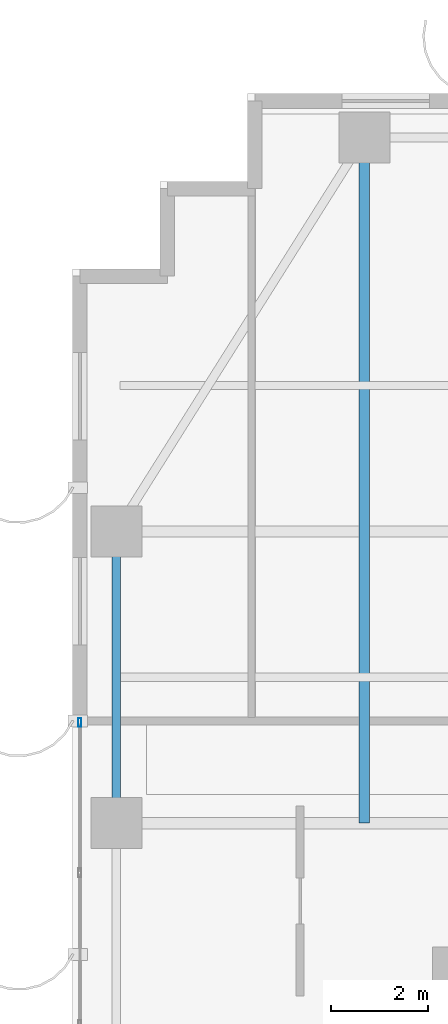
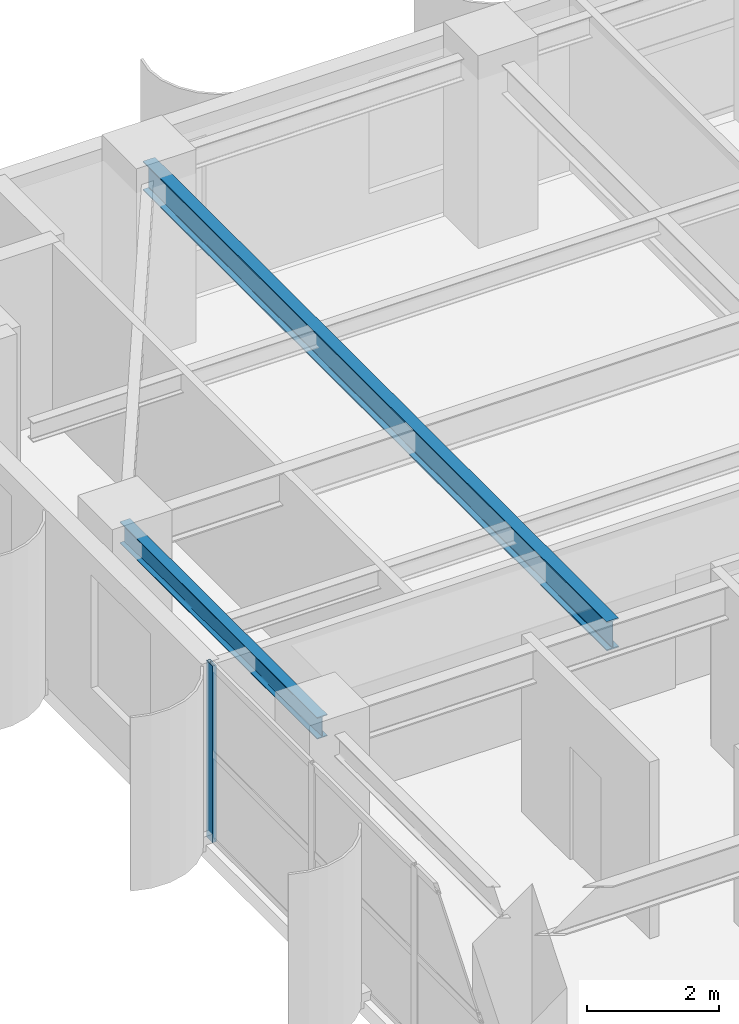
# One storey, part 14 of 28: 2 beams, 1 member, 1 element without a shape of its own.
"""IFC4 building model written with IfcOpenShell, lengths in metres."""

import ifcopenshell
import ifcopenshell.guid

model = None  # the IFC model being written
_history = None  # IfcOwnerHistory: only IFC2X3 demands one
_inside = {}  # id of a spatial element -> (the spatial element, [elements in it])
_under = {}  # id of a project, library or spatial element -> (it, [spatial elements below it])
_declared = {}  # id of a project -> (the project, [libraries it declares])
_typed = {}  # id of a type object -> (the type object, [elements of that type])
_made_of = {}  # id of a material, layer set ... -> (it, [elements and type objects made of it])


def new_model(schema):
    """Start an empty IFC model of exactly this schema.

    Asked for "IFC4X3", IfcOpenShell would pick the latest addendum, in which some entities
    have other attributes; the version numbers below select the first issue.
    IFC2X3 requires an IfcOwnerHistory on every rooted entity: one is made here for all.
    """
    global model, _history
    if schema == "IFC4X3":
        model = ifcopenshell.file(schema_version=(4, 3, 0, 0))
    else:
        model = ifcopenshell.file(schema=schema)
    _inside.clear()
    _under.clear()
    _declared.clear()
    _typed.clear()
    _made_of.clear()
    _history = None
    if model.schema == "IFC2X3":
        org = make("IfcOrganization", Name="unknown")
        user = make(
            "IfcPersonAndOrganization",
            ThePerson=make("IfcPerson", FamilyName="unknown"),
            TheOrganization=org,
        )
        app = make(
            "IfcApplication",
            ApplicationDeveloper=org,
            Version="unknown",
            ApplicationFullName="unknown",
            ApplicationIdentifier="unknown",
        )
        _history = make(
            "IfcOwnerHistory",
            OwningUser=user,
            OwningApplication=app,
            ChangeAction="ADDED",
            CreationDate=0,
        )
    return model


def make(cls, **values):
    """One entity of the class cls with the attributes given. An attribute that is None is left unset."""
    return model.create_entity(
        cls, **{name: value for name, value in values.items() if value is not None}
    )


def rooted(cls, **values):
    """An entity with a GlobalId (a new one), such as an element, a storey or a relation."""
    return make(cls, GlobalId=ifcopenshell.guid.new(), OwnerHistory=_history, **values)


def si_unit(unit_type, name, prefix=None):
    """IfcSIUnit, for example si_unit("LENGTHUNIT", "METRE", prefix="MILLI")."""
    return make("IfcSIUnit", UnitType=unit_type, Prefix=prefix, Name=name)


def assignment(units):
    """IfcUnitAssignment: the units of a project."""
    return None if units is None else make("IfcUnitAssignment", Units=units)


def point(xyz):
    """IfcCartesianPoint."""
    return None if xyz is None else make("IfcCartesianPoint", Coordinates=xyz)


def direction(xyz):
    """IfcDirection."""
    return None if xyz is None else make("IfcDirection", DirectionRatios=xyz)


def frame(location, z_axis=None, x_axis=None):
    """IfcAxis2Placement3D, a coordinate frame: its origin and axes. An axis left out is left unset."""
    return make(
        "IfcAxis2Placement3D",
        Location=point(location),
        Axis=direction(z_axis),
        RefDirection=direction(x_axis),
    )


def frame_2d(location, x_axis=None):
    """IfcAxis2Placement2D, a coordinate frame in the plane: its origin and x axis."""
    return make(
        "IfcAxis2Placement2D", Location=point(location), RefDirection=direction(x_axis)
    )


def origin():
    """The frame at (0, 0, 0) with its axes left unset."""
    return frame((0.0, 0.0, 0.0))


def origin_2d():
    """The frame at (0, 0) in the plane with its x axis left unset."""
    return frame_2d((0.0, 0.0))


def place(relative_to, where):
    """IfcLocalPlacement: puts the frame where relative to a parent placement (None: the world)."""
    return make(
        "IfcLocalPlacement", PlacementRelTo=relative_to, RelativePlacement=where
    )


def context(
    kind, dimensions, precision=None, world=None, true_north=None, identifier=None
):
    """IfcGeometricRepresentationContext, for example the 3D "Model" context."""
    return make(
        "IfcGeometricRepresentationContext",
        ContextIdentifier=identifier,
        ContextType=kind,
        CoordinateSpaceDimension=dimensions,
        Precision=precision,
        WorldCoordinateSystem=world,
        TrueNorth=true_north,
    )


def subcontext(parent, identifier, kind, view, scale=None):
    """IfcGeometricRepresentationSubContext, for example "Body" below "Model"."""
    return make(
        "IfcGeometricRepresentationSubContext",
        ContextIdentifier=identifier,
        ContextType=kind,
        ParentContext=parent,
        TargetScale=scale,
        TargetView=view,
    )


def project(units=None, contexts=None):
    """IfcProject with its units and contexts."""
    return rooted(
        "IfcProject",
        Name="project",
        RepresentationContexts=contexts,
        UnitsInContext=assignment(units),
    )


def spatial(cls, under=None, at=None, **own):
    """A site, building, storey or space (cls), placed at a placement, below another one or the project."""
    s = rooted(cls, ObjectPlacement=at, **own)
    if under is not None:
        _under.setdefault(under.id(), (under, []))[1].append(s)
    return s


def profile(cls, at=None, kind="AREA", **sizes):
    """A parametric profile (cls). Its sizes go by their IFC names, for example OverallWidth=200.0."""
    return make(cls, ProfileType=kind, Position=at, **sizes)


def hollow_rectangle(**sizes):
    """IfcRectangleHollowProfileDef."""
    return profile("IfcRectangleHollowProfileDef", **sizes)


def i_section(**sizes):
    """IfcIShapeProfileDef."""
    return profile("IfcIShapeProfileDef", **sizes)


def extrude(swept, where, along, depth):
    """IfcExtrudedAreaSolid: the profile swept, set in the frame where, extruded along a direction by depth."""
    return make(
        "IfcExtrudedAreaSolid",
        SweptArea=swept,
        Position=where,
        ExtrudedDirection=direction(along),
        Depth=depth,
    )


def shape(context_of_items, identifier, shape_type, items):
    """IfcShapeRepresentation: the items that make up one representation, for example the "Body"."""
    return make(
        "IfcShapeRepresentation",
        ContextOfItems=context_of_items,
        RepresentationIdentifier=identifier,
        RepresentationType=shape_type,
        Items=items,
    )


def source(mapping_origin, context_of_items, identifier, shape_type, items):
    """IfcRepresentationMap: a shape defined once, which mapped items show again and again."""
    return make(
        "IfcRepresentationMap",
        MappingOrigin=mapping_origin,
        MappedRepresentation=shape(context_of_items, identifier, shape_type, items),
    )


def transform(
    local_origin,
    x_axis=None,
    y_axis=None,
    z_axis=None,
    scale=None,
    scale2=None,
    scale3=None,
    uniform=True,
):
    """IfcCartesianTransformationOperator3D, or its non-uniform kind. x_axis, y_axis, z_axis: its Axis1, 2, 3."""
    if uniform:
        return make(
            "IfcCartesianTransformationOperator3D",
            Axis1=direction(x_axis),
            Axis2=direction(y_axis),
            LocalOrigin=point(local_origin),
            Scale=scale,
            Axis3=direction(z_axis),
        )
    return make(
        "IfcCartesianTransformationOperator3DnonUniform",
        Axis1=direction(x_axis),
        Axis2=direction(y_axis),
        LocalOrigin=point(local_origin),
        Scale=scale,
        Axis3=direction(z_axis),
        Scale2=scale2,
        Scale3=scale3,
    )


def mapped(mapping_source, mapping_target):
    """IfcMappedItem: shows the shape of a source again, moved by a transform."""
    return make(
        "IfcMappedItem", MappingSource=mapping_source, MappingTarget=mapping_target
    )


def material(Name=None, Category=None):
    """IfcMaterial."""
    return make("IfcMaterial", Name=Name, Category=Category)


def layer(
    of_material, thickness, ventilated=None, Name=None, Category=None, Priority=None
):
    """IfcMaterialLayer: one layer of a wall or slab, of a material (None: an air gap)."""
    return make(
        "IfcMaterialLayer",
        Material=of_material,
        LayerThickness=thickness,
        IsVentilated=ventilated,
        Name=Name,
        Category=Category,
        Priority=Priority,
    )


def layer_set(layers, Name=None):
    """IfcMaterialLayerSet."""
    return make("IfcMaterialLayerSet", MaterialLayers=layers, LayerSetName=Name)


def material_profile(
    of_material, cross_section, Name=None, Category=None, Priority=None
):
    """IfcMaterialProfile: a cross section and its material."""
    return make(
        "IfcMaterialProfile",
        Name=Name,
        Material=of_material,
        Profile=cross_section,
        Priority=Priority,
        Category=Category,
    )


def profile_set(profiles, Name=None, composite=None):
    """IfcMaterialProfileSet."""
    return make(
        "IfcMaterialProfileSet",
        Name=Name,
        MaterialProfiles=profiles,
        CompositeProfile=composite,
    )


def made_of(thing, what):
    """Note that an element or type object is made of a material, layer set ...; save() writes the relation."""
    if what is not None:
        _made_of.setdefault(what.id(), (what, []))[1].append(thing)
    return thing


def type_object(cls, material=None, **own):
    """A type object (cls), such as IfcWallType, which elements share."""
    return made_of(rooted(cls, **own), material)


def element(
    cls,
    number,
    at=None,
    inside=None,
    cuts=None,
    type_object=None,
    material=None,
    context=None,
    identifier="Body",
    shape_type=None,
    held_by="IfcProductDefinitionShape",
    body=None,
    shapes=None,
    **own,
):
    """One element of the class cls, such as IfcWall. Its Tag is "e" and its number.

    at: its placement. inside: the storey or other place that contains it. cuts: it is an
    opening in that element (IfcRelVoidsElement). A single representation is given by context,
    identifier, shape_type and body (its items); several are given by shapes. held_by: the class
    of the entity that holds the representations. save() writes the other relations.
    """
    e = rooted(cls, Tag="e%d" % number, ObjectPlacement=at, **own)
    if body is not None:
        shapes = [shape(context, identifier, shape_type, body)]
    if shapes is not None:
        e.Representation = make(held_by, Representations=shapes)
    if inside is not None:
        _inside.setdefault(inside.id(), (inside, []))[1].append(e)
    if cuts is not None:
        rooted(
            "IfcRelVoidsElement", RelatingBuildingElement=cuts, RelatedOpeningElement=e
        )
    if type_object is not None:
        _typed.setdefault(type_object.id(), (type_object, []))[1].append(e)
    return made_of(e, material)


def aggregate(whole, parts):
    """IfcRelAggregates: a whole, such as a stair, and the parts it consists of."""
    return rooted("IfcRelAggregates", RelatingObject=whole, RelatedObjects=parts)


def save(model, path):
    """Write the relations noted so far, then the file.

    IfcRelAggregates (storeys below a building ...), IfcRelContainedInSpatialStructure (elements
    in a storey), IfcRelDefinesByType, IfcRelAssociatesMaterial and IfcRelDeclares: one each for
    every whole, place, type object, material and project.
    """
    for whole, parts in _under.values():
        aggregate(whole, parts)
    for where, things in _inside.values():
        rooted(
            "IfcRelContainedInSpatialStructure",
            RelatedElements=things,
            RelatingStructure=where,
        )
    for kind, things in _typed.values():
        rooted("IfcRelDefinesByType", RelatedObjects=things, RelatingType=kind)
    for what, things in _made_of.values():
        rooted("IfcRelAssociatesMaterial", RelatedObjects=things, RelatingMaterial=what)
    for by, libraries in _declared.values():
        rooted("IfcRelDeclares", RelatingContext=by, RelatedDefinitions=libraries)
    model.write(path)


model = new_model("IFC4")

# Units and contexts
model_context = context("Model", 3, precision=1e-05, world=origin(), true_north=direction((0.0, 1.0)))
body_context = subcontext(model_context, "Body", "Model", "MODEL_VIEW")
ifc_project = project(units=[si_unit("LENGTHUNIT", "METRE"), si_unit("AREAUNIT", "SQUARE_METRE"), si_unit("VOLUMEUNIT", "CUBIC_METRE"), si_unit("PLANEANGLEUNIT", "RADIAN"), si_unit("MASSUNIT", "GRAM", prefix="KILO")], contexts=[model_context])

# Site, building, storey
site_placement = place(None, origin())
site = spatial("IfcSite", under=ifc_project, at=site_placement, CompositionType="ELEMENT")
building_placement = place(site_placement, origin())
building = spatial("IfcBuilding", under=site, at=building_placement, Name="Khoralis Quay Care Tower", CompositionType="ELEMENT")
storey_placement = place(building_placement, frame((0.0, 0.0, 144.89990234375)))
storey = spatial("IfcBuildingStorey", under=building, at=storey_placement, Name="L38", CompositionType="ELEMENT", Elevation=144.89990234375)

# Beams
ifc_material_1 = material(Name="Steel S355", Category="steel")
ifc_material_profile_1 = material_profile(ifc_material_1, i_section(OverallWidth=0.179931640625, OverallDepth=0.39990234375, WebThickness=0.008544921875, FlangeThickness=0.013427734375, FilletRadius=0.02099609375, at=origin_2d()), Name="Steel S355")
ifc_profile_set_1 = profile_set([ifc_material_profile_1], Name="Steel S355")
beam_type_1 = type_object("IfcBeamType", Name="BM-IPE400", PredefinedType="SPANDREL", material=ifc_profile_set_1)
shared_shape_1 = source(origin(), body_context, "Body", "SweptSolid", [
    extrude(i_section(OverallWidth=0.179931640625, OverallDepth=0.39990234375, WebThickness=0.008544921875, FlangeThickness=0.013427734375, FilletRadius=0.02099609375, at=origin_2d()), origin(), (0.0, 0.0, 1.0), 6.0),
])
beam_1_placement = place(storey_placement, frame((0.89990234375, 30.0, 3.080078125), z_axis=(0.0, 1.0, 0.0), x_axis=(-1.0, 0.0, 0.0)))
element("IfcBeam", 1, at=beam_1_placement, inside=storey, type_object=beam_type_1, Name="BM-TSP-L38-15", PredefinedType="SPANDREL", context=body_context, shape_type="MappedRepresentation", body=[
    mapped(shared_shape_1, transform((0.0, 0.0, 0.0), scale=1.0)),
])
ifc_material_profile_2 = material_profile(ifc_material_1, i_section(OverallWidth=0.2119140625, OverallDepth=0.5439453125, WebThickness=0.01318359375, FlangeThickness=0.021240234375, FilletRadius=0.01611328125, at=origin_2d()), Name="Steel S355")
ifc_profile_set_2 = profile_set([ifc_material_profile_2], Name="Steel S355")
beam_type_2 = type_object("IfcBeamType", Name="BM-W530X123", PredefinedType="BEAM", material=ifc_profile_set_2)
shared_shape_2 = source(origin(), body_context, "Body", "SweptSolid", [
    extrude(i_section(OverallWidth=0.2119140625, OverallDepth=0.5439453125, WebThickness=0.01318359375, FlangeThickness=0.021240234375, FilletRadius=0.01611328125, at=origin_2d()), origin(), (0.0, 0.0, 1.0), 14.10009765625),
])
beam_2_placement = place(storey_placement, frame((6.0, 30.0, 3.008056640625), z_axis=(0.0, 1.0, 0.0), x_axis=(-1.0, 0.0, 0.0)))
element("IfcBeam", 2, at=beam_2_placement, inside=storey, type_object=beam_type_2, Name="BM-TGYN-L38-60", PredefinedType="BEAM", context=body_context, shape_type="MappedRepresentation", body=[
    mapped(shared_shape_2, transform((0.0, 0.0, 0.0), scale=1.0)),
])

# Curtain wall, member
ifc_material_2 = material(Name="Pale anodised aluminium", Category="aluminium")
ifc_layer = layer(ifc_material_2, 0.169921875)
ifc_layer_set = layer_set([ifc_layer], Name="Pale anodised aluminium")
curtain_wall_type = type_object("IfcCurtainWallType", Name="CW-SYS-Z2", PredefinedType="NOTDEFINED", material=ifc_layer_set)
curtain_wall_placement = place(storey_placement, origin())
curtain_wall = element("IfcCurtainWall", 3, at=curtain_wall_placement, inside=storey, type_object=curtain_wall_type, Name="L38 Unitised Curtain Wall CW-L38-P1-E15", PredefinedType="NOTDEFINED")
ifc_material_profile_3 = material_profile(ifc_material_2, hollow_rectangle(XDim=0.06494140625, YDim=0.179931640625, WallThickness=0.00390625, at=origin_2d()), Name="Pale anodised aluminium")
ifc_profile_set_3 = profile_set([ifc_material_profile_3], Name="Pale anodised aluminium")
member_type = type_object("IfcMemberType", Name="CW-MUL-180", PredefinedType="MULLION", material=ifc_profile_set_3)
shared_shape_3 = source(origin(), body_context, "Body", "SweptSolid", [
    extrude(hollow_rectangle(XDim=0.06494140625, YDim=0.179931640625, WallThickness=0.00390625, at=origin_2d()), origin(), (0.0, 0.0, 1.0), 3.280029296875),
])
member_placement = place(storey_placement, frame((0.14990234375, 32.070068359375, 0.0), z_axis=(0.0, 0.0, 1.0), x_axis=(1.0, 0.0, 0.0)))
member = element("IfcMember", 4, at=member_placement, type_object=member_type, Name="CW2 mullion 1", PredefinedType="MULLION", context=body_context, shape_type="MappedRepresentation", body=[
    mapped(shared_shape_3, transform((0.0, 0.0, 0.0), scale=1.0)),
])
aggregate(curtain_wall, [member])

save(model, "model.ifc")
